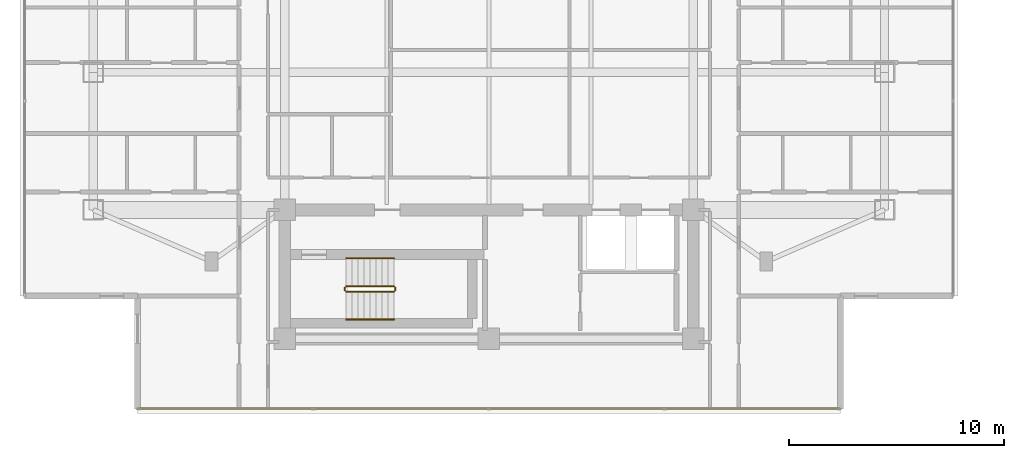
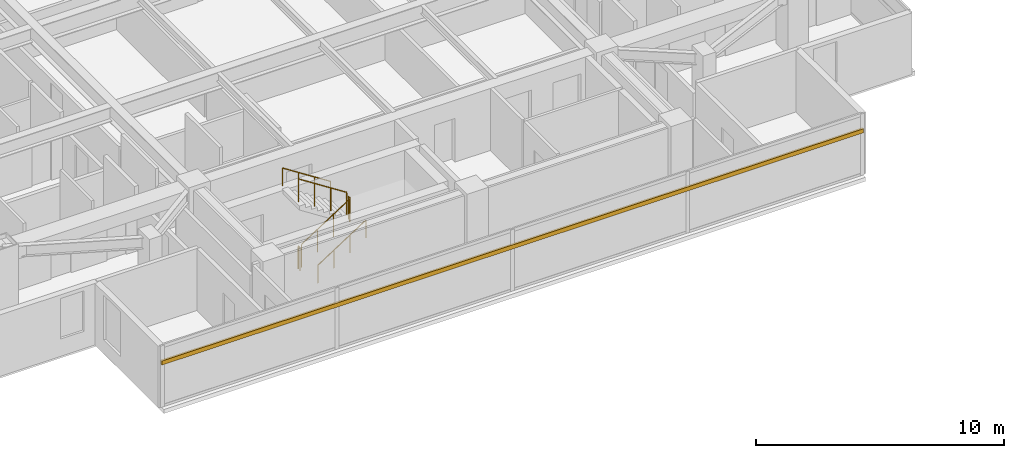
# One storey, part 20 of 25: 6 railings, 1 shading device.
"""IFC4 building model written with IfcOpenShell, lengths in metres."""

from ifc_helpers import new_model, si_unit, direction, frame, origin, origin_2d, place, context, subcontext, project, spatial, rectangle, circle, extrude, material, material_profile, profile_set, type_object, element, save


model = new_model("IFC4")

# Units and contexts
model_context = context("Model", 3, precision=1e-05, world=origin(), true_north=direction((0.0, 1.0)))
body_context = subcontext(model_context, "Body", "Model", "MODEL_VIEW")
ifc_project = project(units=[si_unit("LENGTHUNIT", "METRE"), si_unit("AREAUNIT", "SQUARE_METRE"), si_unit("VOLUMEUNIT", "CUBIC_METRE"), si_unit("PLANEANGLEUNIT", "RADIAN"), si_unit("MASSUNIT", "GRAM", prefix="KILO")], contexts=[model_context])

# Site, building, storey
site_placement = place(None, origin())
site = spatial("IfcSite", under=ifc_project, at=site_placement, CompositionType="ELEMENT")
building_placement = place(site_placement, origin())
building = spatial("IfcBuilding", under=site, at=building_placement, Name="Mirazonda Arch Towers", CompositionType="ELEMENT")
storey_placement = place(building_placement, frame((0.0, 0.0, 177.14990234375)))
storey = spatial("IfcBuildingStorey", under=building, at=storey_placement, Name="L50", CompositionType="ELEMENT", Elevation=177.14990234375)

# Shading device
ifc_material_1 = material(Name="Kiln-Fired Architectural Terracotta", Category="masonry")
ifc_material_profile = material_profile(ifc_material_1, rectangle(XDim=0.10009765625, YDim=0.199951171875, at=origin_2d()), Name="TERRA-BAG-100x200")
ifc_profile_set = profile_set([ifc_material_profile], Name="Kiln-Fired Architectural Terracotta")
shading_device_type = type_object("IfcShadingDeviceType", Name="BAGUETTE-2", PredefinedType="USERDEFINED", material=ifc_profile_set)
shading_device_placement = place(storey_placement, frame((36.844970703125, 9.14404296875, 2.181640625), z_axis=(-1.0, 0.0, 0.0), x_axis=(0.0, -1.0, 0.0)))
element("IfcShadingDevice", 1, at=shading_device_placement, inside=storey, type_object=shading_device_type, Name="L50 Glazed Terracotta Sun-Screen Baguette CW-L50-T1-S", ObjectType="BAGUETTE", PredefinedType="USERDEFINED", context=body_context, shape_type="SweptSolid", body=[
    extrude(rectangle(XDim=0.10009765625, YDim=0.199951171875, at=origin_2d()), origin(), (0.0, 0.0, 1.0), 32.68994140625),
])

# Railings
ifc_material_2 = material(Name="Architectural Brushed Steel S355", Category="steel")
railing_type_1 = type_object("IfcRailingType", Name="GUARD-STAIR-1120", PredefinedType="GUARDRAIL", material=ifc_material_2)
railing_1_placement = place(storey_placement, frame((13.85009765625, 14.60009765625, 0.1806640625)))
element("IfcRailing", 2, at=railing_1_placement, inside=storey, type_object=railing_type_1, Name="L50 ST-T1S stair guard 1", PredefinedType="GUARDRAIL", context=body_context, shape_type="SweptSolid", body=[
    extrude(circle(Radius=0.02392578125, at=origin_2d()), frame((0.0, 0.0, 1.1259765625), z_axis=(0.840436612492, 0.0, 0.541909863706), x_axis=(0.0, 1.0, 0.0)), (0.0, 0.0, 1.0), 2.665283203125),
    extrude(circle(Radius=0.02099609375, at=origin_2d()), origin(), (0.0, 0.0, 1.0), 1.101806640625),
    extrude(circle(Radius=0.02099609375, at=origin_2d()), frame((0.74658203125, 0.0, 0.4814453125)), (0.0, 0.0, 1.0), 1.101806640625),
    extrude(circle(Radius=0.02099609375, at=origin_2d()), frame((1.493408203125, 0.0, 0.962890625)), (0.0, 0.0, 1.0), 1.101806640625),
    extrude(circle(Radius=0.02099609375, at=origin_2d()), frame((2.239990234375, 0.0, 1.4443359375)), (0.0, 0.0, 1.0), 1.101806640625),
])
railing_2_placement = place(storey_placement, frame((16.139892578125, 14.64990234375, 1.625)))
element("IfcRailing", 3, at=railing_2_placement, inside=storey, type_object=railing_type_1, Name="L50 ST-T1S stair guard 2", PredefinedType="GUARDRAIL", context=body_context, shape_type="SweptSolid", body=[
    extrude(circle(Radius=0.02392578125, at=origin_2d()), frame((0.0, 0.0, 1.1259765625), z_axis=(0.0, 1.0, 0.0), x_axis=(-1.0, 0.0, 0.0)), (0.0, 0.0, 1.0), 0.14013671875),
    extrude(circle(Radius=0.02099609375, at=origin_2d()), origin(), (0.0, 0.0, 1.0), 1.101806640625),
    extrude(circle(Radius=0.02099609375, at=origin_2d()), frame((0.0, 0.14013671875, 0.0)), (0.0, 0.0, 1.0), 1.101806640625),
])
railing_3_placement = place(storey_placement, frame((16.090087890625, 14.840087890625, 1.8056640625)))
element("IfcRailing", 4, at=railing_3_placement, inside=storey, type_object=railing_type_1, Name="L50 ST-T1S stair guard 3", PredefinedType="GUARDRAIL", context=body_context, shape_type="SweptSolid", body=[
    extrude(circle(Radius=0.02392578125, at=origin_2d()), frame((0.0, 0.0, 1.1259765625), z_axis=(-0.840436612492, 0.0, 0.541909863706), x_axis=(0.0, -1.0, 0.0)), (0.0, 0.0, 1.0), 2.665283203125),
    extrude(circle(Radius=0.02099609375, at=origin_2d()), origin(), (0.0, 0.0, 1.0), 1.101806640625),
    extrude(circle(Radius=0.02099609375, at=origin_2d()), frame((-0.74658203125, 0.0, 0.4814453125)), (0.0, 0.0, 1.0), 1.101806640625),
    extrude(circle(Radius=0.02099609375, at=origin_2d()), frame((-1.493408203125, 0.0, 0.962890625)), (0.0, 0.0, 1.0), 1.101806640625),
    extrude(circle(Radius=0.02099609375, at=origin_2d()), frame((-2.239990234375, 0.0, 1.4443359375)), (0.0, 0.0, 1.0), 1.101806640625),
])
railing_4_placement = place(storey_placement, frame((13.800048828125, 14.64990234375, 0.0)))
element("IfcRailing", 5, at=railing_4_placement, inside=storey, type_object=railing_type_1, Name="L50 ST-T1S stair guard 4", PredefinedType="GUARDRAIL", context=body_context, shape_type="SweptSolid", body=[
    extrude(circle(Radius=0.02392578125, at=origin_2d()), frame((0.0, 0.0, 1.1259765625), z_axis=(0.0, 1.0, 0.0), x_axis=(-1.0, 0.0, 0.0)), (0.0, 0.0, 1.0), 0.14013671875),
    extrude(circle(Radius=0.02099609375, at=origin_2d()), origin(), (0.0, 0.0, 1.0), 1.101806640625),
    extrude(circle(Radius=0.02099609375, at=origin_2d()), frame((0.0, 0.14013671875, 0.0)), (0.0, 0.0, 1.0), 1.101806640625),
])
railing_type_2 = type_object("IfcRailingType", Name="HANDRAIL-915", PredefinedType="HANDRAIL", material=ifc_material_2)
railing_5_placement = place(storey_placement, frame((13.85009765625, 13.300048828125, 0.1806640625)))
element("IfcRailing", 6, at=railing_5_placement, inside=storey, type_object=railing_type_2, Name="L50 ST-T1S stair handrail 1", PredefinedType="HANDRAIL", context=body_context, shape_type="SweptSolid", body=[
    extrude(circle(Radius=0.02392578125, at=origin_2d()), frame((0.0, 0.0, 0.8759765625), z_axis=(0.840436612492, 0.0, 0.541909863706), x_axis=(0.0, 1.0, 0.0)), (0.0, 0.0, 1.0), 2.665283203125),
    extrude(circle(Radius=0.02099609375, at=origin_2d()), origin(), (0.0, 0.0, 1.0), 0.851806640625),
    extrude(circle(Radius=0.02099609375, at=origin_2d()), frame((0.74658203125, 0.0, 0.4814453125)), (0.0, 0.0, 1.0), 0.851806640625),
    extrude(circle(Radius=0.02099609375, at=origin_2d()), frame((1.493408203125, 0.0, 0.962890625)), (0.0, 0.0, 1.0), 0.851806640625),
    extrude(circle(Radius=0.02099609375, at=origin_2d()), frame((2.239990234375, 0.0, 1.4443359375)), (0.0, 0.0, 1.0), 0.851806640625),
])
railing_6_placement = place(storey_placement, frame((16.090087890625, 16.139892578125, 1.8056640625)))
element("IfcRailing", 7, at=railing_6_placement, inside=storey, type_object=railing_type_2, Name="L50 ST-T1S stair handrail 2", PredefinedType="HANDRAIL", context=body_context, shape_type="SweptSolid", body=[
    extrude(circle(Radius=0.02392578125, at=origin_2d()), frame((0.0, 0.0, 0.8759765625), z_axis=(-0.840436612492, 0.0, 0.541909863706), x_axis=(0.0, -1.0, 0.0)), (0.0, 0.0, 1.0), 2.665283203125),
    extrude(circle(Radius=0.02099609375, at=origin_2d()), origin(), (0.0, 0.0, 1.0), 0.851806640625),
    extrude(circle(Radius=0.02099609375, at=origin_2d()), frame((-0.74658203125, 0.0, 0.4814453125)), (0.0, 0.0, 1.0), 0.851806640625),
    extrude(circle(Radius=0.02099609375, at=origin_2d()), frame((-1.493408203125, 0.0, 0.962890625)), (0.0, 0.0, 1.0), 0.851806640625),
    extrude(circle(Radius=0.02099609375, at=origin_2d()), frame((-2.239990234375, 0.0, 1.4443359375)), (0.0, 0.0, 1.0), 0.851806640625),
])

save(model, "model.ifc")
